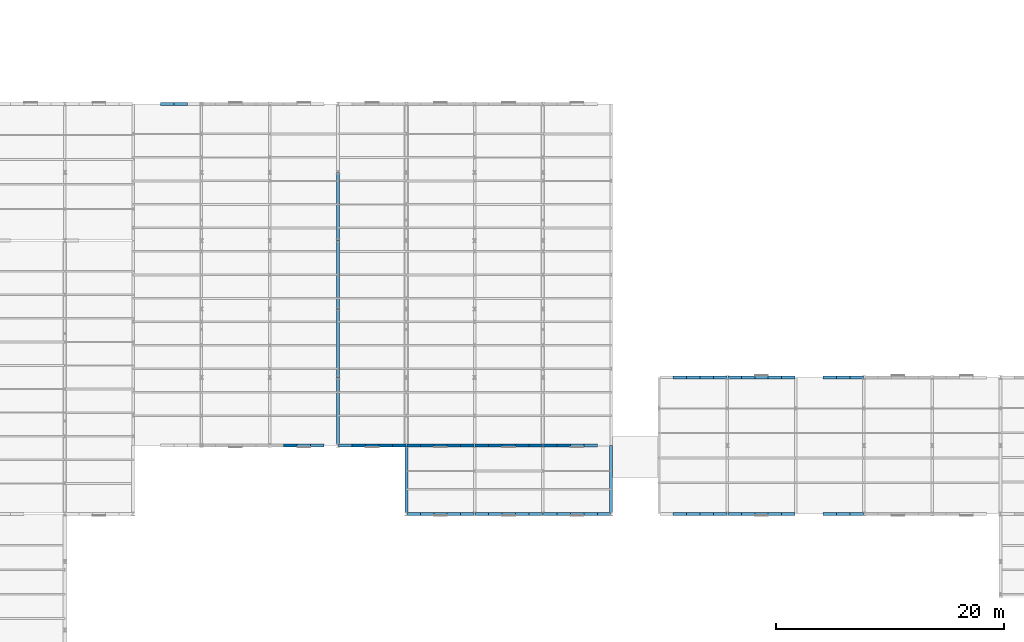
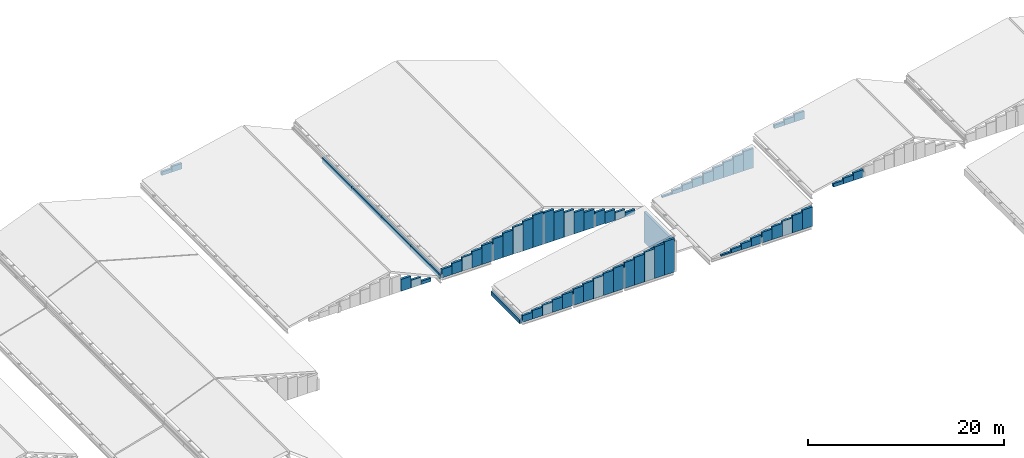
# One storey, part 64 of 74: 69 walls.
"""IFC4 building model written with IfcOpenShell, lengths in metres."""

from ifc_helpers import new_model, si_unit, direction, frame, frame_2d, origin, place, context, subcontext, project, spatial, rectangle, extrude, material, layer, layer_set, type_object, element, save


model = new_model("IFC4")

# Units and contexts
model_context = context("Model", 3, precision=1e-05, world=origin(), true_north=direction((0.0, 1.0)))
body_context = subcontext(model_context, "Body", "Model", "MODEL_VIEW")
ifc_project = project(units=[si_unit("LENGTHUNIT", "METRE"), si_unit("AREAUNIT", "SQUARE_METRE"), si_unit("VOLUMEUNIT", "CUBIC_METRE"), si_unit("PLANEANGLEUNIT", "RADIAN"), si_unit("MASSUNIT", "GRAM", prefix="KILO")], contexts=[model_context])

# Site, building, storey
site_placement = place(None, origin())
site = spatial("IfcSite", under=ifc_project, at=site_placement, CompositionType="ELEMENT")
building_placement = place(site_placement, origin())
building = spatial("IfcBuilding", under=site, at=building_placement, Name="Siltcreek Boulevard Central Fire Station", CompositionType="ELEMENT")
storey_placement = place(building_placement, frame((0.0, 0.0, 25.199951171875)))
storey = spatial("IfcBuildingStorey", under=building, at=storey_placement, Name="RF", CompositionType="ELEMENT", Elevation=25.199951171875)

# Walls
ifc_material = material(Name="Western Red Cedar insulated gable wall", Category="wood")
ifc_layer = layer(ifc_material, 0.264892578125, Name="Western Red Cedar insulated gable wall")
ifc_layer_set = layer_set([ifc_layer], Name="Western Red Cedar insulated gable wall")
wall_type = type_object("IfcWallType", Name="EW_CEDAR265", PredefinedType="STANDARD", material=ifc_layer_set)
wall_1_placement = place(storey_placement, frame((69.591064453125, 54.0, -11.199951171875), z_axis=(0.0, 0.0, 1.0), x_axis=(-1.0, 0.0, 0.0)))
element("IfcWall", 1, at=wall_1_placement, inside=storey, type_object=wall_type, Name="Roof gable timber-lined enclosure wall RF-H5W-0068", PredefinedType="STANDARD", context=body_context, shape_type="SweptSolid", body=[
    extrude(rectangle(XDim=1.18212890625, YDim=0.264892578125, at=frame_2d((0.591064453125, 0.0))), origin(), (0.0, 0.0, 1.0), 0.42578125),
])
wall_2_placement = place(storey_placement, frame((70.77294921875, 54.0, -11.199951171875), z_axis=(0.0, 0.0, 1.0), x_axis=(-1.0, 0.0, 0.0)))
element("IfcWall", 2, at=wall_2_placement, inside=storey, type_object=wall_type, Name="Roof gable timber-lined enclosure wall RF-H5W-0069", PredefinedType="STANDARD", context=body_context, shape_type="SweptSolid", body=[
    extrude(rectangle(XDim=1.181884765625, YDim=0.264892578125, at=frame_2d((0.5908203125, 0.0))), origin(), (0.0, 0.0, 1.0), 0.691650390625),
])
wall_3_placement = place(storey_placement, frame((79.22705078125, 24.0, -11.199951171875), z_axis=(0.0, 0.0, 1.0), x_axis=(1.0, 0.0, 0.0)))
element("IfcWall", 3, at=wall_3_placement, inside=storey, type_object=wall_type, Name="Roof gable timber-lined enclosure wall RF-H5E-0077", PredefinedType="STANDARD", context=body_context, shape_type="SweptSolid", body=[
    extrude(rectangle(XDim=1.181884765625, YDim=0.264892578125, at=frame_2d((0.5908203125, 0.0))), origin(), (0.0, 0.0, 1.0), 1.481689453125),
])
wall_4_placement = place(storey_placement, frame((80.408935546875, 24.0, -11.199951171875), z_axis=(0.0, 0.0, 1.0), x_axis=(1.0, 0.0, 0.0)))
element("IfcWall", 4, at=wall_4_placement, inside=storey, type_object=wall_type, Name="Roof gable timber-lined enclosure wall RF-H5E-0078", PredefinedType="STANDARD", context=body_context, shape_type="SweptSolid", body=[
    extrude(rectangle(XDim=1.18212890625, YDim=0.264892578125, at=frame_2d((0.591064453125, 0.0))), origin(), (0.0, 0.0, 1.0), 0.949951171875),
])
wall_5_placement = place(storey_placement, frame((81.591064453125, 24.0, -11.199951171875), z_axis=(0.0, 0.0, 1.0), x_axis=(1.0, 0.0, 0.0)))
element("IfcWall", 5, at=wall_5_placement, inside=storey, type_object=wall_type, Name="Roof gable timber-lined enclosure wall RF-H5E-0079", PredefinedType="STANDARD", context=body_context, shape_type="SweptSolid", body=[
    extrude(rectangle(XDim=1.181884765625, YDim=0.264892578125, at=frame_2d((0.5908203125, 0.0))), origin(), (0.0, 0.0, 1.0), 0.41796875),
])
wall_6_placement = place(storey_placement, frame((84.044921875, 24.0, -11.199951171875), z_axis=(0.0, 0.0, 1.0), x_axis=(1.0, 0.0, 0.0)))
element("IfcWall", 6, at=wall_6_placement, inside=storey, type_object=wall_type, Name="Roof gable timber-lined enclosure wall RF-H6W-0084", PredefinedType="STANDARD", context=body_context, shape_type="SweptSolid", body=[
    extrude(rectangle(XDim=1.18212890625, YDim=0.264892578125, at=frame_2d((0.591064453125, 0.0))), origin(), (0.0, 0.0, 1.0), 1.043212890625),
])
wall_7_placement = place(storey_placement, frame((85.22705078125, 24.0, -11.199951171875), z_axis=(0.0, 0.0, 1.0), x_axis=(1.0, 0.0, 0.0)))
element("IfcWall", 7, at=wall_7_placement, inside=storey, type_object=wall_type, Name="Roof gable timber-lined enclosure wall RF-H6W-0085", PredefinedType="STANDARD", context=body_context, shape_type="SweptSolid", body=[
    extrude(rectangle(XDim=1.181884765625, YDim=0.264892578125, at=frame_2d((0.5908203125, 0.0))), origin(), (0.0, 0.0, 1.0), 1.3681640625),
])
wall_8_placement = place(storey_placement, frame((86.408935546875, 24.0, -11.199951171875), z_axis=(0.0, 0.0, 1.0), x_axis=(1.0, 0.0, 0.0)))
element("IfcWall", 8, at=wall_8_placement, inside=storey, type_object=wall_type, Name="Roof gable timber-lined enclosure wall RF-H6W-0086", PredefinedType="STANDARD", context=body_context, shape_type="SweptSolid", body=[
    extrude(rectangle(XDim=1.18212890625, YDim=0.264892578125, at=frame_2d((0.591064453125, 0.0))), origin(), (0.0, 0.0, 1.0), 1.693115234375),
])
wall_9_placement = place(storey_placement, frame((87.591064453125, 24.0, -11.199951171875), z_axis=(0.0, 0.0, 1.0), x_axis=(1.0, 0.0, 0.0)))
element("IfcWall", 9, at=wall_9_placement, inside=storey, type_object=wall_type, Name="Roof gable timber-lined enclosure wall RF-H6W-0087", PredefinedType="STANDARD", context=body_context, shape_type="SweptSolid", body=[
    extrude(rectangle(XDim=1.181884765625, YDim=0.264892578125, at=frame_2d((0.5908203125, 0.0))), origin(), (0.0, 0.0, 1.0), 2.018310546875),
])
wall_10_placement = place(storey_placement, frame((88.77294921875, 24.0, -11.199951171875), z_axis=(0.0, 0.0, 1.0), x_axis=(1.0, 0.0, 0.0)))
element("IfcWall", 10, at=wall_10_placement, inside=storey, type_object=wall_type, Name="Roof gable timber-lined enclosure wall RF-H6W-0088", PredefinedType="STANDARD", context=body_context, shape_type="SweptSolid", body=[
    extrude(rectangle(XDim=1.18212890625, YDim=0.264892578125, at=frame_2d((0.591064453125, 0.0))), origin(), (0.0, 0.0, 1.0), 2.34326171875),
])
wall_11_placement = place(storey_placement, frame((90.044921875, 24.0, -11.199951171875), z_axis=(0.0, 0.0, 1.0), x_axis=(1.0, 0.0, 0.0)))
element("IfcWall", 11, at=wall_11_placement, inside=storey, type_object=wall_type, Name="Roof gable timber-lined enclosure wall RF-H6W-0089", PredefinedType="STANDARD", context=body_context, shape_type="SweptSolid", body=[
    extrude(rectangle(XDim=1.18212890625, YDim=0.264892578125, at=frame_2d((0.591064453125, 0.0))), origin(), (0.0, 0.0, 1.0), 2.693115234375),
])
wall_12_placement = place(storey_placement, frame((91.22705078125, 24.0, -11.199951171875), z_axis=(0.0, 0.0, 1.0), x_axis=(1.0, 0.0, 0.0)))
element("IfcWall", 12, at=wall_12_placement, inside=storey, type_object=wall_type, Name="Roof gable timber-lined enclosure wall RF-H6W-0090", PredefinedType="STANDARD", context=body_context, shape_type="SweptSolid", body=[
    extrude(rectangle(XDim=1.181884765625, YDim=0.264892578125, at=frame_2d((0.5908203125, 0.0))), origin(), (0.0, 0.0, 1.0), 3.01806640625),
])
wall_13_placement = place(storey_placement, frame((92.408935546875, 24.0, -11.199951171875), z_axis=(0.0, 0.0, 1.0), x_axis=(1.0, 0.0, 0.0)))
element("IfcWall", 13, at=wall_13_placement, inside=storey, type_object=wall_type, Name="Roof gable timber-lined enclosure wall RF-H6W-0091", PredefinedType="STANDARD", context=body_context, shape_type="SweptSolid", body=[
    extrude(rectangle(XDim=1.18212890625, YDim=0.264892578125, at=frame_2d((0.591064453125, 0.0))), origin(), (0.0, 0.0, 1.0), 3.34326171875),
])
wall_14_placement = place(storey_placement, frame((93.591064453125, 24.0, -11.199951171875), z_axis=(0.0, 0.0, 1.0), x_axis=(1.0, 0.0, 0.0)))
element("IfcWall", 14, at=wall_14_placement, inside=storey, type_object=wall_type, Name="Roof gable timber-lined enclosure wall RF-H6W-0092", PredefinedType="STANDARD", context=body_context, shape_type="SweptSolid", body=[
    extrude(rectangle(XDim=1.181884765625, YDim=0.264892578125, at=frame_2d((0.5908203125, 0.0))), origin(), (0.0, 0.0, 1.0), 3.668212890625),
])
wall_15_placement = place(storey_placement, frame((94.77294921875, 24.0, -11.199951171875), z_axis=(0.0, 0.0, 1.0), x_axis=(1.0, 0.0, 0.0)))
element("IfcWall", 15, at=wall_15_placement, inside=storey, type_object=wall_type, Name="Roof gable timber-lined enclosure wall RF-H6W-0093", PredefinedType="STANDARD", context=body_context, shape_type="SweptSolid", body=[
    extrude(rectangle(XDim=1.18212890625, YDim=0.264892578125, at=frame_2d((0.591064453125, 0.0))), origin(), (0.0, 0.0, 1.0), 3.993408203125),
])
wall_16_placement = place(storey_placement, frame((84.0, 30.0, -11.3984375), z_axis=(0.0, 0.0, 1.0), x_axis=(0.0, -1.0, 0.0)))
element("IfcWall", 16, at=wall_16_placement, inside=storey, type_object=wall_type, Name="Roof step cheek enclosure wall RF-H6W-0104", PredefinedType="STANDARD", context=body_context, shape_type="SweptSolid", body=[
    extrude(rectangle(XDim=5.867431640625, YDim=0.264892578125, at=frame_2d((2.93359375, 0.0))), origin(), (0.0, 0.0, 1.0), 0.61962890625),
])
for number, where, z_axis, x_axis, name in (
    (17, (84.0, 36.0, -11.3984375), (0.0, 0.0, 1.0), (0.0, -1.0, 0.0), "Roof step cheek enclosure wall RF-H6W-0105"),
    (18, (84.0, 42.0, -11.3984375), (0.0, 0.0, 1.0), (0.0, -1.0, 0.0), "Roof step cheek enclosure wall RF-H6W-0106"),
    (19, (84.0, 48.0, -11.3984375), (0.0, 0.0, 1.0), (0.0, -1.0, 0.0), "Roof step cheek enclosure wall RF-H6W-0107"),
):
    element("IfcWall", number, at=place(storey_placement, frame(where, z_axis=z_axis, x_axis=x_axis)), inside=storey, type_object=wall_type, Name=name, PredefinedType="STANDARD", context=body_context, shape_type="SweptSolid", body=[
        extrude(rectangle(XDim=6.0, YDim=0.264892578125, at=frame_2d((3.0, 0.0))), origin(), (0.0, 0.0, 1.0), 0.61962890625),
    ])
wall_17_placement = place(storey_placement, frame((96.044921875, 24.0, -11.199951171875), z_axis=(0.0, 0.0, 1.0), x_axis=(1.0, 0.0, 0.0)))
element("IfcWall", 20, at=wall_17_placement, inside=storey, type_object=wall_type, Name="Roof gable timber-lined enclosure wall RF-H6E-0109", PredefinedType="STANDARD", context=body_context, shape_type="SweptSolid", body=[
    extrude(rectangle(XDim=1.18212890625, YDim=0.264892578125, at=frame_2d((0.591064453125, 0.0))), origin(), (0.0, 0.0, 1.0), 3.895751953125),
])
wall_18_placement = place(storey_placement, frame((97.22705078125, 24.0, -11.199951171875), z_axis=(0.0, 0.0, 1.0), x_axis=(1.0, 0.0, 0.0)))
element("IfcWall", 21, at=wall_18_placement, inside=storey, type_object=wall_type, Name="Roof gable timber-lined enclosure wall RF-H6E-0110", PredefinedType="STANDARD", context=body_context, shape_type="SweptSolid", body=[
    extrude(rectangle(XDim=1.181884765625, YDim=0.264892578125, at=frame_2d((0.5908203125, 0.0))), origin(), (0.0, 0.0, 1.0), 3.48193359375),
])
wall_19_placement = place(storey_placement, frame((98.408935546875, 24.0, -11.199951171875), z_axis=(0.0, 0.0, 1.0), x_axis=(1.0, 0.0, 0.0)))
element("IfcWall", 22, at=wall_19_placement, inside=storey, type_object=wall_type, Name="Roof gable timber-lined enclosure wall RF-H6E-0111", PredefinedType="STANDARD", context=body_context, shape_type="SweptSolid", body=[
    extrude(rectangle(XDim=1.18212890625, YDim=0.264892578125, at=frame_2d((0.591064453125, 0.0))), origin(), (0.0, 0.0, 1.0), 3.068359375),
])
wall_20_placement = place(storey_placement, frame((99.591064453125, 24.0, -11.199951171875), z_axis=(0.0, 0.0, 1.0), x_axis=(1.0, 0.0, 0.0)))
element("IfcWall", 23, at=wall_20_placement, inside=storey, type_object=wall_type, Name="Roof gable timber-lined enclosure wall RF-H6E-0112", PredefinedType="STANDARD", context=body_context, shape_type="SweptSolid", body=[
    extrude(rectangle(XDim=1.181884765625, YDim=0.264892578125, at=frame_2d((0.5908203125, 0.0))), origin(), (0.0, 0.0, 1.0), 2.654541015625),
])
wall_21_placement = place(storey_placement, frame((100.77294921875, 24.0, -11.199951171875), z_axis=(0.0, 0.0, 1.0), x_axis=(1.0, 0.0, 0.0)))
element("IfcWall", 24, at=wall_21_placement, inside=storey, type_object=wall_type, Name="Roof gable timber-lined enclosure wall RF-H6E-0113", PredefinedType="STANDARD", context=body_context, shape_type="SweptSolid", body=[
    extrude(rectangle(XDim=1.18212890625, YDim=0.264892578125, at=frame_2d((0.591064453125, 0.0))), origin(), (0.0, 0.0, 1.0), 2.240966796875),
])
wall_22_placement = place(storey_placement, frame((102.044921875, 24.0, -11.14990234375), z_axis=(0.0, 0.0, 1.0), x_axis=(1.0, 0.0, 0.0)))
element("IfcWall", 25, at=wall_22_placement, inside=storey, type_object=wall_type, Name="Roof gable timber-lined enclosure wall RF-H6E-0114", PredefinedType="STANDARD", context=body_context, shape_type="SweptSolid", body=[
    extrude(rectangle(XDim=1.18212890625, YDim=0.264892578125, at=frame_2d((0.591064453125, 0.0))), origin(), (0.0, 0.0, 1.0), 1.74560546875),
])
wall_23_placement = place(storey_placement, frame((103.22705078125, 24.0, -11.199951171875), z_axis=(0.0, 0.0, 1.0), x_axis=(1.0, 0.0, 0.0)))
element("IfcWall", 26, at=wall_23_placement, inside=storey, type_object=wall_type, Name="Roof gable timber-lined enclosure wall RF-H6E-0115", PredefinedType="STANDARD", context=body_context, shape_type="SweptSolid", body=[
    extrude(rectangle(XDim=1.181884765625, YDim=0.264892578125, at=frame_2d((0.5908203125, 0.0))), origin(), (0.0, 0.0, 1.0), 1.382080078125),
])
wall_24_placement = place(storey_placement, frame((104.408935546875, 24.0, -11.199951171875), z_axis=(0.0, 0.0, 1.0), x_axis=(1.0, 0.0, 0.0)))
element("IfcWall", 27, at=wall_24_placement, inside=storey, type_object=wall_type, Name="Roof gable timber-lined enclosure wall RF-H6E-0116", PredefinedType="STANDARD", context=body_context, shape_type="SweptSolid", body=[
    extrude(rectangle(XDim=1.18212890625, YDim=0.264892578125, at=frame_2d((0.591064453125, 0.0))), origin(), (0.0, 0.0, 1.0), 0.96826171875),
])
wall_25_placement = place(storey_placement, frame((105.591064453125, 24.0, -11.199951171875), z_axis=(0.0, 0.0, 1.0), x_axis=(1.0, 0.0, 0.0)))
element("IfcWall", 28, at=wall_25_placement, inside=storey, type_object=wall_type, Name="Roof gable timber-lined enclosure wall RF-H6E-0117", PredefinedType="STANDARD", context=body_context, shape_type="SweptSolid", body=[
    extrude(rectangle(XDim=1.181884765625, YDim=0.264892578125, at=frame_2d((0.5908203125, 0.0))), origin(), (0.0, 0.0, 1.0), 0.5546875),
])
wall_26_placement = place(storey_placement, frame((90.044921875, 18.0, -15.199951171875), z_axis=(0.0, 0.0, 1.0), x_axis=(1.0, 0.0, 0.0)))
element("IfcWall", 29, at=wall_26_placement, inside=storey, type_object=wall_type, Name="Roof gable timber-lined enclosure wall RF-H6-DY-0127", PredefinedType="STANDARD", context=body_context, shape_type="SweptSolid", body=[
    extrude(rectangle(XDim=1.18212890625, YDim=0.264892578125, at=frame_2d((0.591064453125, 0.0))), origin(), (0.0, 0.0, 1.0), 0.814453125),
])
wall_27_placement = place(storey_placement, frame((91.22705078125, 18.0, -15.199951171875), z_axis=(0.0, 0.0, 1.0), x_axis=(1.0, 0.0, 0.0)))
element("IfcWall", 30, at=wall_27_placement, inside=storey, type_object=wall_type, Name="Roof gable timber-lined enclosure wall RF-H6-DY-0128", PredefinedType="STANDARD", context=body_context, shape_type="SweptSolid", body=[
    extrude(rectangle(XDim=1.181884765625, YDim=0.264892578125, at=frame_2d((0.5908203125, 0.0))), origin(), (0.0, 0.0, 1.0), 1.05078125),
])
wall_28_placement = place(storey_placement, frame((92.408935546875, 18.0, -15.199951171875), z_axis=(0.0, 0.0, 1.0), x_axis=(1.0, 0.0, 0.0)))
element("IfcWall", 31, at=wall_28_placement, inside=storey, type_object=wall_type, Name="Roof gable timber-lined enclosure wall RF-H6-DY-0129", PredefinedType="STANDARD", context=body_context, shape_type="SweptSolid", body=[
    extrude(rectangle(XDim=1.18212890625, YDim=0.264892578125, at=frame_2d((0.591064453125, 0.0))), origin(), (0.0, 0.0, 1.0), 1.287109375),
])
wall_29_placement = place(storey_placement, frame((93.591064453125, 18.0, -15.199951171875), z_axis=(0.0, 0.0, 1.0), x_axis=(1.0, 0.0, 0.0)))
element("IfcWall", 32, at=wall_29_placement, inside=storey, type_object=wall_type, Name="Roof gable timber-lined enclosure wall RF-H6-DY-0130", PredefinedType="STANDARD", context=body_context, shape_type="SweptSolid", body=[
    extrude(rectangle(XDim=1.181884765625, YDim=0.264892578125, at=frame_2d((0.5908203125, 0.0))), origin(), (0.0, 0.0, 1.0), 1.523681640625),
])
wall_30_placement = place(storey_placement, frame((94.77294921875, 18.0, -15.199951171875), z_axis=(0.0, 0.0, 1.0), x_axis=(1.0, 0.0, 0.0)))
element("IfcWall", 33, at=wall_30_placement, inside=storey, type_object=wall_type, Name="Roof gable timber-lined enclosure wall RF-H6-DY-0131", PredefinedType="STANDARD", context=body_context, shape_type="SweptSolid", body=[
    extrude(rectangle(XDim=1.18212890625, YDim=0.264892578125, at=frame_2d((0.591064453125, 0.0))), origin(), (0.0, 0.0, 1.0), 1.760009765625),
])
wall_31_placement = place(storey_placement, frame((96.044921875, 18.0, -15.199951171875), z_axis=(0.0, 0.0, 1.0), x_axis=(1.0, 0.0, 0.0)))
element("IfcWall", 34, at=wall_31_placement, inside=storey, type_object=wall_type, Name="Roof gable timber-lined enclosure wall RF-H6-DY-0132", PredefinedType="STANDARD", context=body_context, shape_type="SweptSolid", body=[
    extrude(rectangle(XDim=1.18212890625, YDim=0.264892578125, at=frame_2d((0.591064453125, 0.0))), origin(), (0.0, 0.0, 1.0), 2.014404296875),
])
wall_32_placement = place(storey_placement, frame((97.22705078125, 18.0, -15.199951171875), z_axis=(0.0, 0.0, 1.0), x_axis=(1.0, 0.0, 0.0)))
element("IfcWall", 35, at=wall_32_placement, inside=storey, type_object=wall_type, Name="Roof gable timber-lined enclosure wall RF-H6-DY-0133", PredefinedType="STANDARD", context=body_context, shape_type="SweptSolid", body=[
    extrude(rectangle(XDim=1.181884765625, YDim=0.264892578125, at=frame_2d((0.5908203125, 0.0))), origin(), (0.0, 0.0, 1.0), 2.250732421875),
])
wall_33_placement = place(storey_placement, frame((98.408935546875, 18.0, -15.199951171875), z_axis=(0.0, 0.0, 1.0), x_axis=(1.0, 0.0, 0.0)))
element("IfcWall", 36, at=wall_33_placement, inside=storey, type_object=wall_type, Name="Roof gable timber-lined enclosure wall RF-H6-DY-0134", PredefinedType="STANDARD", context=body_context, shape_type="SweptSolid", body=[
    extrude(rectangle(XDim=1.18212890625, YDim=0.264892578125, at=frame_2d((0.591064453125, 0.0))), origin(), (0.0, 0.0, 1.0), 2.4873046875),
])
wall_34_placement = place(storey_placement, frame((99.591064453125, 18.0, -15.199951171875), z_axis=(0.0, 0.0, 1.0), x_axis=(1.0, 0.0, 0.0)))
element("IfcWall", 37, at=wall_34_placement, inside=storey, type_object=wall_type, Name="Roof gable timber-lined enclosure wall RF-H6-DY-0135", PredefinedType="STANDARD", context=body_context, shape_type="SweptSolid", body=[
    extrude(rectangle(XDim=1.181884765625, YDim=0.264892578125, at=frame_2d((0.5908203125, 0.0))), origin(), (0.0, 0.0, 1.0), 2.7236328125),
])
wall_35_placement = place(storey_placement, frame((100.77294921875, 18.0, -15.199951171875), z_axis=(0.0, 0.0, 1.0), x_axis=(1.0, 0.0, 0.0)))
element("IfcWall", 38, at=wall_35_placement, inside=storey, type_object=wall_type, Name="Roof gable timber-lined enclosure wall RF-H6-DY-0136", PredefinedType="STANDARD", context=body_context, shape_type="SweptSolid", body=[
    extrude(rectangle(XDim=1.18212890625, YDim=0.264892578125, at=frame_2d((0.591064453125, 0.0))), origin(), (0.0, 0.0, 1.0), 2.9599609375),
])
wall_36_placement = place(storey_placement, frame((102.044921875, 18.0, -15.199951171875), z_axis=(0.0, 0.0, 1.0), x_axis=(1.0, 0.0, 0.0)))
element("IfcWall", 39, at=wall_36_placement, inside=storey, type_object=wall_type, Name="Roof gable timber-lined enclosure wall RF-H6-DY-0137", PredefinedType="STANDARD", context=body_context, shape_type="SweptSolid", body=[
    extrude(rectangle(XDim=1.18212890625, YDim=0.264892578125, at=frame_2d((0.591064453125, 0.0))), origin(), (0.0, 0.0, 1.0), 3.21435546875),
])
wall_37_placement = place(storey_placement, frame((103.22705078125, 18.0, -15.199951171875), z_axis=(0.0, 0.0, 1.0), x_axis=(1.0, 0.0, 0.0)))
element("IfcWall", 40, at=wall_37_placement, inside=storey, type_object=wall_type, Name="Roof gable timber-lined enclosure wall RF-H6-DY-0138", PredefinedType="STANDARD", context=body_context, shape_type="SweptSolid", body=[
    extrude(rectangle(XDim=1.181884765625, YDim=0.264892578125, at=frame_2d((0.5908203125, 0.0))), origin(), (0.0, 0.0, 1.0), 3.45068359375),
])
wall_38_placement = place(storey_placement, frame((104.408935546875, 18.0, -15.199951171875), z_axis=(0.0, 0.0, 1.0), x_axis=(1.0, 0.0, 0.0)))
element("IfcWall", 41, at=wall_38_placement, inside=storey, type_object=wall_type, Name="Roof gable timber-lined enclosure wall RF-H6-DY-0139", PredefinedType="STANDARD", context=body_context, shape_type="SweptSolid", body=[
    extrude(rectangle(XDim=1.18212890625, YDim=0.264892578125, at=frame_2d((0.591064453125, 0.0))), origin(), (0.0, 0.0, 1.0), 3.687255859375),
])
wall_39_placement = place(storey_placement, frame((105.591064453125, 18.0, -15.199951171875), z_axis=(0.0, 0.0, 1.0), x_axis=(1.0, 0.0, 0.0)))
element("IfcWall", 42, at=wall_39_placement, inside=storey, type_object=wall_type, Name="Roof gable timber-lined enclosure wall RF-H6-DY-0140", PredefinedType="STANDARD", context=body_context, shape_type="SweptSolid", body=[
    extrude(rectangle(XDim=1.181884765625, YDim=0.264892578125, at=frame_2d((0.5908203125, 0.0))), origin(), (0.0, 0.0, 1.0), 3.923583984375),
])
wall_40_placement = place(storey_placement, frame((106.77294921875, 18.0, -15.199951171875), z_axis=(0.0, 0.0, 1.0), x_axis=(1.0, 0.0, 0.0)))
element("IfcWall", 43, at=wall_40_placement, inside=storey, type_object=wall_type, Name="Roof gable timber-lined enclosure wall RF-H6-DY-0141", PredefinedType="STANDARD", context=body_context, shape_type="SweptSolid", body=[
    extrude(rectangle(XDim=1.18212890625, YDim=0.264892578125, at=frame_2d((0.591064453125, 0.0))), origin(), (0.0, 0.0, 1.0), 4.159912109375),
])
wall_41_placement = place(storey_placement, frame((90.0, 24.0, -15.47998046875), z_axis=(0.0, 0.0, 1.0), x_axis=(0.0, -1.0, 0.0)))
element("IfcWall", 44, at=wall_41_placement, inside=storey, type_object=wall_type, Name="Roof step cheek enclosure wall RF-H6-DY-0142", PredefinedType="STANDARD", context=body_context, shape_type="SweptSolid", body=[
    extrude(rectangle(XDim=5.867431640625, YDim=0.264892578125, at=frame_2d((2.93359375, 0.0))), origin(), (0.0, 0.0, 1.0), 0.4853515625),
])
wall_42_placement = place(storey_placement, frame((108.0, 18.132568359375, -15.199951171875), z_axis=(0.0, 0.0, 1.0), x_axis=(0.0, 1.0, 0.0)))
element("IfcWall", 45, at=wall_42_placement, inside=storey, type_object=wall_type, Name="Roof step cheek enclosure wall RF-H6-DY-0143", PredefinedType="STANDARD", context=body_context, shape_type="SweptSolid", body=[
    extrude(rectangle(XDim=5.867431640625, YDim=0.264892578125, at=frame_2d((2.93359375, 0.0))), origin(), (0.0, 0.0, 1.0), 3.805419921875),
])
wall_43_placement = place(storey_placement, frame((113.427001953125, 18.0, -15.199951171875), z_axis=(0.0, 0.0, 1.0), x_axis=(1.0, 0.0, 0.0)))
element("IfcWall", 46, at=wall_43_placement, inside=storey, type_object=wall_type, Name="Roof gable timber-lined enclosure wall RF-H7-LK-0285", PredefinedType="STANDARD", context=body_context, shape_type="SweptSolid", body=[
    extrude(rectangle(XDim=1.181884765625, YDim=0.264892578125, at=frame_2d((0.5908203125, 0.0))), origin(), (0.0, 0.0, 1.0), 0.190185546875),
])
wall_44_placement = place(storey_placement, frame((114.60888671875, 18.0, -15.199951171875), z_axis=(0.0, 0.0, 1.0), x_axis=(1.0, 0.0, 0.0)))
element("IfcWall", 47, at=wall_44_placement, inside=storey, type_object=wall_type, Name="Roof gable timber-lined enclosure wall RF-H7-LK-0286", PredefinedType="STANDARD", context=body_context, shape_type="SweptSolid", body=[
    extrude(rectangle(XDim=1.18212890625, YDim=0.264892578125, at=frame_2d((0.591064453125, 0.0))), origin(), (0.0, 0.0, 1.0), 0.4658203125),
])
wall_45_placement = place(storey_placement, frame((115.791015625, 18.0, -15.199951171875), z_axis=(0.0, 0.0, 1.0), x_axis=(1.0, 0.0, 0.0)))
element("IfcWall", 48, at=wall_45_placement, inside=storey, type_object=wall_type, Name="Roof gable timber-lined enclosure wall RF-H7-LK-0287", PredefinedType="STANDARD", context=body_context, shape_type="SweptSolid", body=[
    extrude(rectangle(XDim=1.181884765625, YDim=0.264892578125, at=frame_2d((0.5908203125, 0.0))), origin(), (0.0, 0.0, 1.0), 0.74169921875),
])
wall_46_placement = place(storey_placement, frame((116.972900390625, 18.0, -15.199951171875), z_axis=(0.0, 0.0, 1.0), x_axis=(1.0, 0.0, 0.0)))
element("IfcWall", 49, at=wall_46_placement, inside=storey, type_object=wall_type, Name="Roof gable timber-lined enclosure wall RF-H7-LK-0288", PredefinedType="STANDARD", context=body_context, shape_type="SweptSolid", body=[
    extrude(rectangle(XDim=1.18212890625, YDim=0.264892578125, at=frame_2d((0.591064453125, 0.0))), origin(), (0.0, 0.0, 1.0), 1.017578125),
])
wall_47_placement = place(storey_placement, frame((118.2451171875, 18.0, -15.199951171875), z_axis=(0.0, 0.0, 1.0), x_axis=(1.0, 0.0, 0.0)))
element("IfcWall", 50, at=wall_47_placement, inside=storey, type_object=wall_type, Name="Roof gable timber-lined enclosure wall RF-H7-LK-0289", PredefinedType="STANDARD", context=body_context, shape_type="SweptSolid", body=[
    extrude(rectangle(XDim=1.181884765625, YDim=0.264892578125, at=frame_2d((0.5908203125, 0.0))), origin(), (0.0, 0.0, 1.0), 1.314208984375),
])
wall_48_placement = place(storey_placement, frame((119.427001953125, 18.0, -15.199951171875), z_axis=(0.0, 0.0, 1.0), x_axis=(1.0, 0.0, 0.0)))
element("IfcWall", 51, at=wall_48_placement, inside=storey, type_object=wall_type, Name="Roof gable timber-lined enclosure wall RF-H7-LK-0290", PredefinedType="STANDARD", context=body_context, shape_type="SweptSolid", body=[
    extrude(rectangle(XDim=1.181884765625, YDim=0.264892578125, at=frame_2d((0.5908203125, 0.0))), origin(), (0.0, 0.0, 1.0), 1.590087890625),
])
wall_49_placement = place(storey_placement, frame((120.60888671875, 18.0, -15.199951171875), z_axis=(0.0, 0.0, 1.0), x_axis=(1.0, 0.0, 0.0)))
element("IfcWall", 52, at=wall_49_placement, inside=storey, type_object=wall_type, Name="Roof gable timber-lined enclosure wall RF-H7-LK-0291", PredefinedType="STANDARD", context=body_context, shape_type="SweptSolid", body=[
    extrude(rectangle(XDim=1.18212890625, YDim=0.264892578125, at=frame_2d((0.591064453125, 0.0))), origin(), (0.0, 0.0, 1.0), 1.865966796875),
])
wall_50_placement = place(storey_placement, frame((121.791015625, 18.0, -15.199951171875), z_axis=(0.0, 0.0, 1.0), x_axis=(1.0, 0.0, 0.0)))
element("IfcWall", 53, at=wall_50_placement, inside=storey, type_object=wall_type, Name="Roof gable timber-lined enclosure wall RF-H7-LK-0292", PredefinedType="STANDARD", context=body_context, shape_type="SweptSolid", body=[
    extrude(rectangle(XDim=1.181884765625, YDim=0.264892578125, at=frame_2d((0.5908203125, 0.0))), origin(), (0.0, 0.0, 1.0), 2.1416015625),
])
wall_51_placement = place(storey_placement, frame((122.972900390625, 18.0, -15.199951171875), z_axis=(0.0, 0.0, 1.0), x_axis=(1.0, 0.0, 0.0)))
element("IfcWall", 54, at=wall_51_placement, inside=storey, type_object=wall_type, Name="Roof gable timber-lined enclosure wall RF-H7-LK-0293", PredefinedType="STANDARD", context=body_context, shape_type="SweptSolid", body=[
    extrude(rectangle(XDim=1.18212890625, YDim=0.264892578125, at=frame_2d((0.591064453125, 0.0))), origin(), (0.0, 0.0, 1.0), 2.41748046875),
])
wall_52_placement = place(storey_placement, frame((114.60888671875, 30.0, -15.199951171875), z_axis=(0.0, 0.0, 1.0), x_axis=(-1.0, 0.0, 0.0)))
element("IfcWall", 55, at=wall_52_placement, inside=storey, type_object=wall_type, Name="Roof gable timber-lined enclosure wall RF-H7-LK-0294", PredefinedType="STANDARD", context=body_context, shape_type="SweptSolid", body=[
    extrude(rectangle(XDim=1.181884765625, YDim=0.264892578125, at=frame_2d((0.5908203125, 0.0))), origin(), (0.0, 0.0, 1.0), 0.190185546875),
])
wall_53_placement = place(storey_placement, frame((115.791015625, 30.0, -15.199951171875), z_axis=(0.0, 0.0, 1.0), x_axis=(-1.0, 0.0, 0.0)))
element("IfcWall", 56, at=wall_53_placement, inside=storey, type_object=wall_type, Name="Roof gable timber-lined enclosure wall RF-H7-LK-0295", PredefinedType="STANDARD", context=body_context, shape_type="SweptSolid", body=[
    extrude(rectangle(XDim=1.18212890625, YDim=0.264892578125, at=frame_2d((0.591064453125, 0.0))), origin(), (0.0, 0.0, 1.0), 0.4658203125),
])
wall_54_placement = place(storey_placement, frame((116.972900390625, 30.0, -15.199951171875), z_axis=(0.0, 0.0, 1.0), x_axis=(-1.0, 0.0, 0.0)))
element("IfcWall", 57, at=wall_54_placement, inside=storey, type_object=wall_type, Name="Roof gable timber-lined enclosure wall RF-H7-LK-0296", PredefinedType="STANDARD", context=body_context, shape_type="SweptSolid", body=[
    extrude(rectangle(XDim=1.181884765625, YDim=0.264892578125, at=frame_2d((0.5908203125, 0.0))), origin(), (0.0, 0.0, 1.0), 0.74169921875),
])
wall_55_placement = place(storey_placement, frame((118.155029296875, 30.0, -15.199951171875), z_axis=(0.0, 0.0, 1.0), x_axis=(-1.0, 0.0, 0.0)))
element("IfcWall", 58, at=wall_55_placement, inside=storey, type_object=wall_type, Name="Roof gable timber-lined enclosure wall RF-H7-LK-0297", PredefinedType="STANDARD", context=body_context, shape_type="SweptSolid", body=[
    extrude(rectangle(XDim=1.18212890625, YDim=0.264892578125, at=frame_2d((0.591064453125, 0.0))), origin(), (0.0, 0.0, 1.0), 1.017578125),
])
wall_56_placement = place(storey_placement, frame((119.427001953125, 30.0, -15.199951171875), z_axis=(0.0, 0.0, 1.0), x_axis=(-1.0, 0.0, 0.0)))
element("IfcWall", 59, at=wall_56_placement, inside=storey, type_object=wall_type, Name="Roof gable timber-lined enclosure wall RF-H7-LK-0298", PredefinedType="STANDARD", context=body_context, shape_type="SweptSolid", body=[
    extrude(rectangle(XDim=1.181884765625, YDim=0.264892578125, at=frame_2d((0.5908203125, 0.0))), origin(), (0.0, 0.0, 1.0), 1.314208984375),
])
wall_57_placement = place(storey_placement, frame((120.60888671875, 30.0, -15.199951171875), z_axis=(0.0, 0.0, 1.0), x_axis=(-1.0, 0.0, 0.0)))
element("IfcWall", 60, at=wall_57_placement, inside=storey, type_object=wall_type, Name="Roof gable timber-lined enclosure wall RF-H7-LK-0299", PredefinedType="STANDARD", context=body_context, shape_type="SweptSolid", body=[
    extrude(rectangle(XDim=1.181884765625, YDim=0.264892578125, at=frame_2d((0.5908203125, 0.0))), origin(), (0.0, 0.0, 1.0), 1.590087890625),
])
wall_58_placement = place(storey_placement, frame((121.791015625, 30.0, -15.199951171875), z_axis=(0.0, 0.0, 1.0), x_axis=(-1.0, 0.0, 0.0)))
element("IfcWall", 61, at=wall_58_placement, inside=storey, type_object=wall_type, Name="Roof gable timber-lined enclosure wall RF-H7-LK-0300", PredefinedType="STANDARD", context=body_context, shape_type="SweptSolid", body=[
    extrude(rectangle(XDim=1.18212890625, YDim=0.264892578125, at=frame_2d((0.591064453125, 0.0))), origin(), (0.0, 0.0, 1.0), 1.865966796875),
])
wall_59_placement = place(storey_placement, frame((122.972900390625, 30.0, -15.199951171875), z_axis=(0.0, 0.0, 1.0), x_axis=(-1.0, 0.0, 0.0)))
element("IfcWall", 62, at=wall_59_placement, inside=storey, type_object=wall_type, Name="Roof gable timber-lined enclosure wall RF-H7-LK-0301", PredefinedType="STANDARD", context=body_context, shape_type="SweptSolid", body=[
    extrude(rectangle(XDim=1.181884765625, YDim=0.264892578125, at=frame_2d((0.5908203125, 0.0))), origin(), (0.0, 0.0, 1.0), 2.1416015625),
])
wall_60_placement = place(storey_placement, frame((124.155029296875, 30.0, -15.199951171875), z_axis=(0.0, 0.0, 1.0), x_axis=(-1.0, 0.0, 0.0)))
element("IfcWall", 63, at=wall_60_placement, inside=storey, type_object=wall_type, Name="Roof gable timber-lined enclosure wall RF-H7-LK-0302", PredefinedType="STANDARD", context=body_context, shape_type="SweptSolid", body=[
    extrude(rectangle(XDim=1.18212890625, YDim=0.264892578125, at=frame_2d((0.591064453125, 0.0))), origin(), (0.0, 0.0, 1.0), 2.41748046875),
])
wall_61_placement = place(storey_placement, frame((126.60888671875, 18.0, -11.199951171875), z_axis=(0.0, 0.0, 1.0), x_axis=(1.0, 0.0, 0.0)))
element("IfcWall", 64, at=wall_61_placement, inside=storey, type_object=wall_type, Name="Roof gable timber-lined enclosure wall RF-H7W-0303", PredefinedType="STANDARD", context=body_context, shape_type="SweptSolid", body=[
    extrude(rectangle(XDim=1.18212890625, YDim=0.264892578125, at=frame_2d((0.591064453125, 0.0))), origin(), (0.0, 0.0, 1.0), 0.42578125),
])
wall_62_placement = place(storey_placement, frame((127.791015625, 18.0, -11.199951171875), z_axis=(0.0, 0.0, 1.0), x_axis=(1.0, 0.0, 0.0)))
element("IfcWall", 65, at=wall_62_placement, inside=storey, type_object=wall_type, Name="Roof gable timber-lined enclosure wall RF-H7W-0304", PredefinedType="STANDARD", context=body_context, shape_type="SweptSolid", body=[
    extrude(rectangle(XDim=1.181884765625, YDim=0.264892578125, at=frame_2d((0.5908203125, 0.0))), origin(), (0.0, 0.0, 1.0), 0.691650390625),
])
wall_63_placement = place(storey_placement, frame((128.972900390625, 18.0, -11.199951171875), z_axis=(0.0, 0.0, 1.0), x_axis=(1.0, 0.0, 0.0)))
element("IfcWall", 66, at=wall_63_placement, inside=storey, type_object=wall_type, Name="Roof gable timber-lined enclosure wall RF-H7W-0305", PredefinedType="STANDARD", context=body_context, shape_type="SweptSolid", body=[
    extrude(rectangle(XDim=1.18212890625, YDim=0.264892578125, at=frame_2d((0.591064453125, 0.0))), origin(), (0.0, 0.0, 1.0), 0.957763671875),
])
wall_64_placement = place(storey_placement, frame((127.791015625, 30.0, -11.199951171875), z_axis=(0.0, 0.0, 1.0), x_axis=(-1.0, 0.0, 0.0)))
element("IfcWall", 67, at=wall_64_placement, inside=storey, type_object=wall_type, Name="Roof gable timber-lined enclosure wall RF-H7W-0311", PredefinedType="STANDARD", context=body_context, shape_type="SweptSolid", body=[
    extrude(rectangle(XDim=1.18212890625, YDim=0.264892578125, at=frame_2d((0.591064453125, 0.0))), origin(), (0.0, 0.0, 1.0), 0.42578125),
])
wall_65_placement = place(storey_placement, frame((128.972900390625, 30.0, -11.199951171875), z_axis=(0.0, 0.0, 1.0), x_axis=(-1.0, 0.0, 0.0)))
element("IfcWall", 68, at=wall_65_placement, inside=storey, type_object=wall_type, Name="Roof gable timber-lined enclosure wall RF-H7W-0312", PredefinedType="STANDARD", context=body_context, shape_type="SweptSolid", body=[
    extrude(rectangle(XDim=1.181884765625, YDim=0.264892578125, at=frame_2d((0.5908203125, 0.0))), origin(), (0.0, 0.0, 1.0), 0.691650390625),
])
wall_66_placement = place(storey_placement, frame((130.155029296875, 30.0, -11.199951171875), z_axis=(0.0, 0.0, 1.0), x_axis=(-1.0, 0.0, 0.0)))
element("IfcWall", 69, at=wall_66_placement, inside=storey, type_object=wall_type, Name="Roof gable timber-lined enclosure wall RF-H7W-0313", PredefinedType="STANDARD", context=body_context, shape_type="SweptSolid", body=[
    extrude(rectangle(XDim=1.18212890625, YDim=0.264892578125, at=frame_2d((0.591064453125, 0.0))), origin(), (0.0, 0.0, 1.0), 0.957763671875),
])

save(model, "model.ifc")
